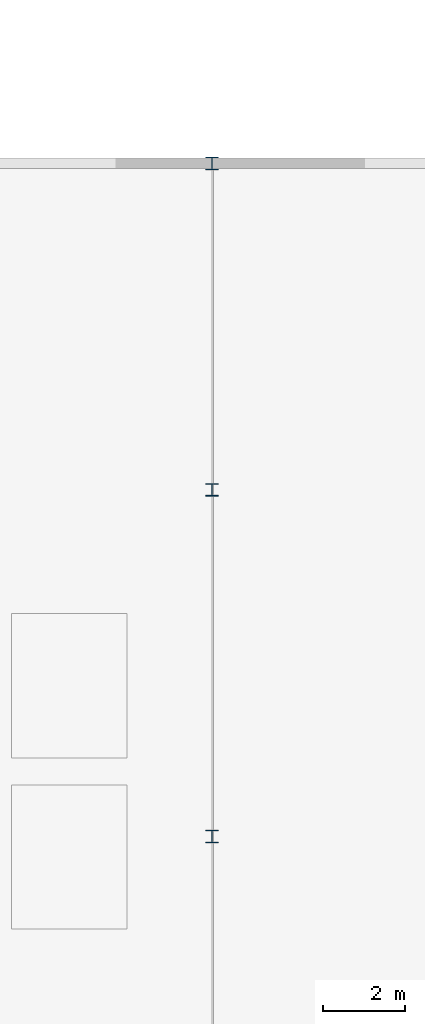
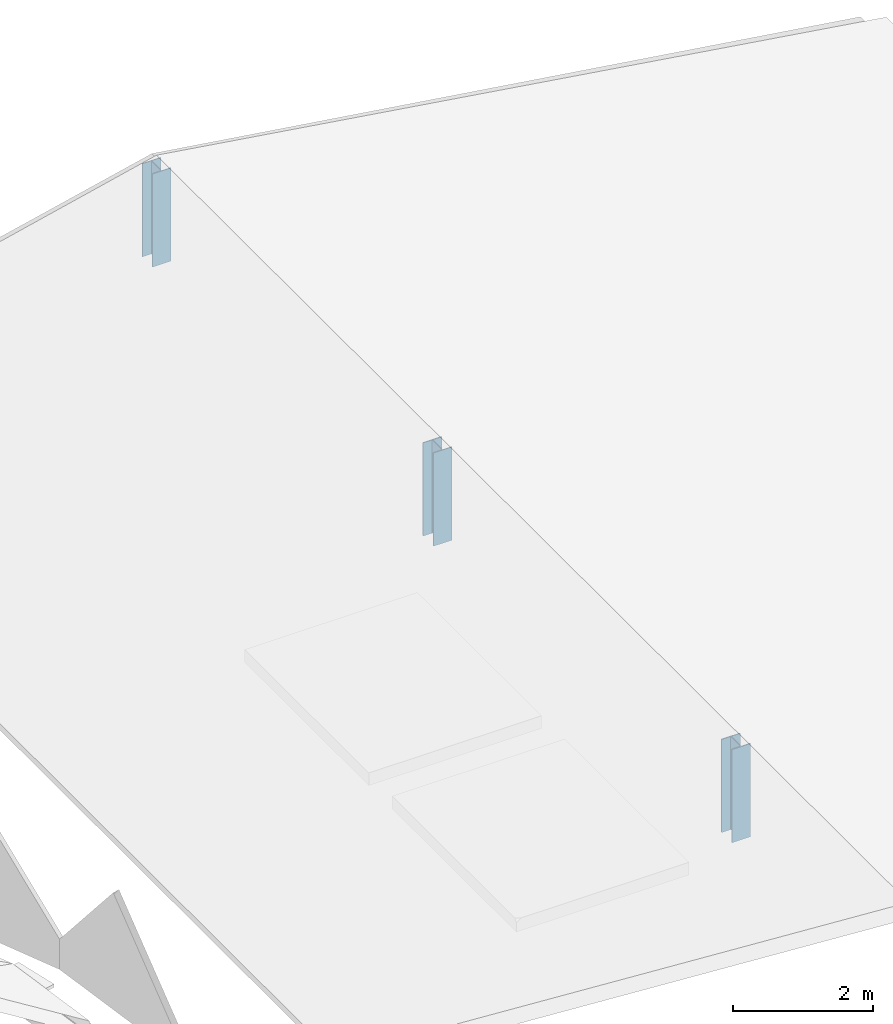
# One storey, part 4 of 27: 3 columns.
"""IFC4 building model written with IfcOpenShell, lengths in metres."""

from ifc_helpers import new_model, si_unit, direction, frame, origin, origin_2d, place, context, subcontext, project, spatial, i_section, extrude, material, material_profile, profile_set, type_object, element, save


model = new_model("IFC4")

# Units and contexts
model_context = context("Model", 3, precision=1e-05, world=origin(), true_north=direction((0.0, 1.0)))
body_context = subcontext(model_context, "Body", "Model", "MODEL_VIEW")
ifc_project = project(units=[si_unit("LENGTHUNIT", "METRE"), si_unit("AREAUNIT", "SQUARE_METRE"), si_unit("VOLUMEUNIT", "CUBIC_METRE"), si_unit("PLANEANGLEUNIT", "RADIAN"), si_unit("MASSUNIT", "GRAM", prefix="KILO")], contexts=[model_context])

# Site, building, storey
site_placement = place(None, origin())
site = spatial("IfcSite", under=ifc_project, at=site_placement, CompositionType="ELEMENT")
building_placement = place(site_placement, origin())
building = spatial("IfcBuilding", under=site, at=building_placement, Name="Cuetzalor Civic Arena", CompositionType="ELEMENT")
storey_placement = place(building_placement, frame((0.0, 0.0, 31.800048828125)))
storey = spatial("IfcBuildingStorey", under=building, at=storey_placement, Name="Roof", CompositionType="ELEMENT", Elevation=31.800048828125)

# Columns
ifc_material = material(Name="Steel S355", Category="steel")
ifc_material_profile = material_profile(ifc_material, i_section(OverallWidth=0.304931640625, OverallDepth=0.30810546875, WebThickness=0.010009765625, FlangeThickness=0.015380859375, at=origin_2d()), Name="W310x97")
ifc_profile_set = profile_set([ifc_material_profile], Name="Steel S355")
column_type = type_object("IfcColumnType", Name="SteelGalleryColumn_W310", PredefinedType="COLUMN", material=ifc_profile_set)
for number, where, z_axis, x_axis, name in (
    (1, (64.0, 8.5, 0.0), (0.0, 0.0, 1.0), (1.0, 0.0, 0.0), "V4E Zinc Roof Ridge Post 6"),
    (2, (64.0, 17.0, 0.0), (0.0, 0.0, 1.0), (1.0, 0.0, 0.0), "V4E Zinc Roof Ridge Post 7"),
    (3, (64.0, 25.0, 0.0), (0.0, 0.0, 1.0), (1.0, 0.0, 0.0), "V4E Zinc Roof Ridge Post 8"),
):
    element("IfcColumn", number, at=place(storey_placement, frame(where, z_axis=z_axis, x_axis=x_axis)), inside=storey, type_object=column_type, Name=name, PredefinedType="COLUMN", context=body_context, shape_type="SweptSolid", body=[
        extrude(i_section(OverallWidth=0.304931640625, OverallDepth=0.30810546875, WebThickness=0.010009765625, FlangeThickness=0.015380859375, at=origin_2d()), origin(), (0.0, 0.0, 1.0), 1.619873046875),
    ])

save(model, "model.ifc")
